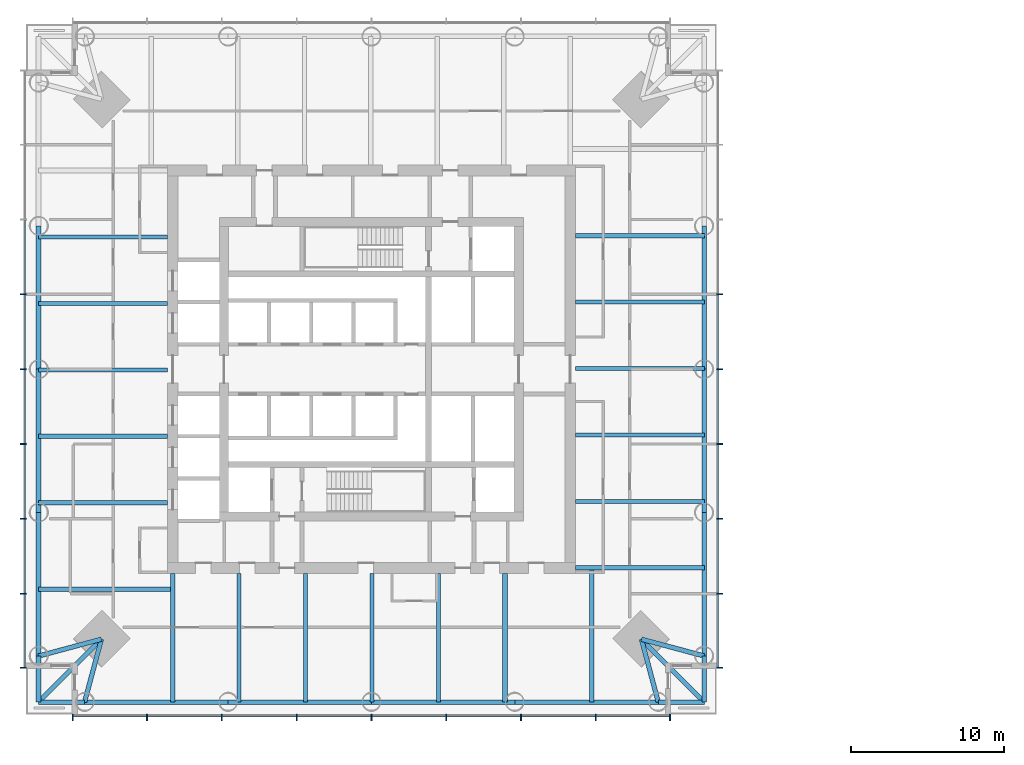
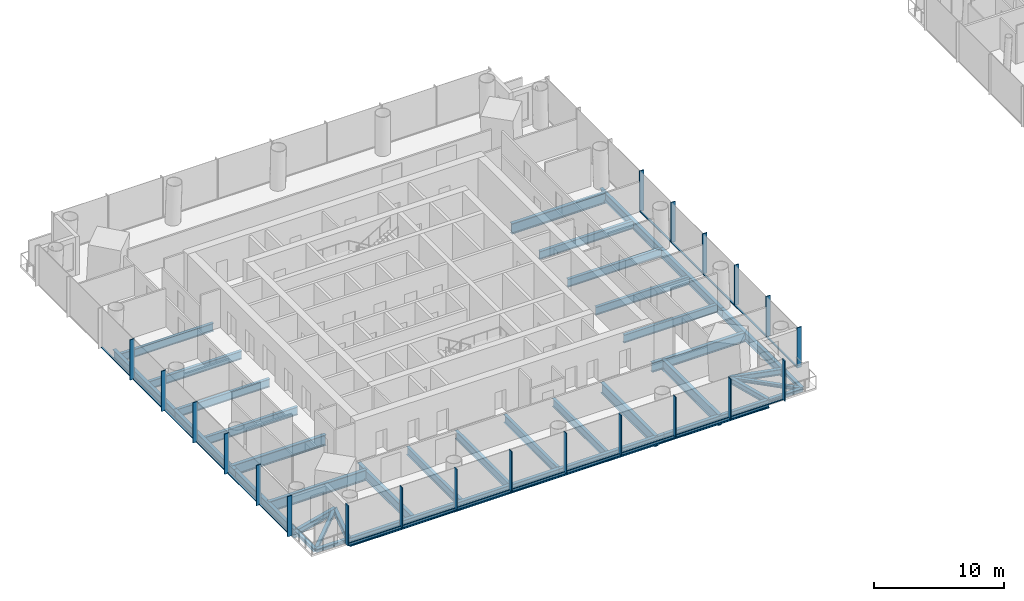
# One storey, part 2 of 18: 40 members, 39 beams, 3 elements without a shape of their own.
"""IFC4 building model written with IfcOpenShell, lengths in metres."""

from ifc_helpers import new_model, si_unit, direction, frame, origin, origin_2d, place, context, subcontext, project, spatial, rectangle, i_section, extrude, material, material_profile, profile_set, type_object, element, aggregate, save


model = new_model("IFC4")

# Units and contexts
model_context = context("Model", 3, precision=1e-05, world=origin(), true_north=direction((0.0, 1.0)))
body_context = subcontext(model_context, "Body", "Model", "MODEL_VIEW")
ifc_project = project(units=[si_unit("LENGTHUNIT", "METRE"), si_unit("AREAUNIT", "SQUARE_METRE"), si_unit("VOLUMEUNIT", "CUBIC_METRE"), si_unit("PLANEANGLEUNIT", "RADIAN"), si_unit("MASSUNIT", "GRAM", prefix="KILO")], contexts=[model_context])

# Site, building, storey
site_placement = place(None, origin())
site = spatial("IfcSite", under=ifc_project, at=site_placement, CompositionType="ELEMENT")
building_placement = place(site_placement, origin())
building = spatial("IfcBuilding", under=site, at=building_placement, Name="Ostroluk Exchange", CompositionType="ELEMENT")
storey_placement = place(building_placement, frame((0.0, 0.0, 93.199951171875)))
storey = spatial("IfcBuildingStorey", under=building, at=storey_placement, Name="L23", CompositionType="ELEMENT", Elevation=93.199951171875)

# Beams
ifc_material_1 = material(Name="Steel S355", Category="steel")
ifc_material_profile_1 = material_profile(ifc_material_1, i_section(OverallWidth=0.300048828125, OverallDepth=0.300048828125, WebThickness=0.010986328125, FlangeThickness=0.01904296875, FilletRadius=0.027099609375, at=origin_2d()), Name="HEB 300")
ifc_profile_set_1 = profile_set([ifc_material_profile_1], Name="Steel S355")
beam_type_1 = type_object("IfcBeamType", Name="Balcony beam HEB 300", PredefinedType="BEAM", material=ifc_profile_set_1)
for number, where, z_axis, x_axis, name in (
    (1, (23.30712890625, 27.30712890625, -0.329833984375), (0.0, -1.0, 0.0), (1.0, 0.0, 0.0), "T1 west balcony beam a"),
    (2, (26.30712890625, 24.30712890625, -0.329833984375), (-1.0, 0.0, 0.0), (0.0, -1.0, 0.0), "T1 west balcony beam b"),
):
    element("IfcBeam", number, at=place(storey_placement, frame(where, z_axis=z_axis, x_axis=x_axis)), inside=storey, type_object=beam_type_1, Name=name, PredefinedType="BEAM", context=body_context, shape_type="SweptSolid", body=[
        extrude(i_section(OverallWidth=0.300048828125, OverallDepth=0.300048828125, WebThickness=0.010986328125, FlangeThickness=0.01904296875, FilletRadius=0.027099609375, at=origin_2d()), origin(), (0.0, 0.0, 1.0), 3.0),
    ])
beam_1_placement = place(storey_placement, frame((27.4072265625, 28.4072265625, -0.329833984375), z_axis=(-0.707106781187, -0.707106781187, 0.0), x_axis=(0.707106781187, -0.707106781187, 0.0)))
element("IfcBeam", 3, at=beam_1_placement, inside=storey, type_object=beam_type_1, Name="T1 west balcony beam c", PredefinedType="BEAM", context=body_context, shape_type="SweptSolid", body=[
    extrude(i_section(OverallWidth=0.300048828125, OverallDepth=0.300048828125, WebThickness=0.010986328125, FlangeThickness=0.01904296875, FilletRadius=0.027099609375, at=origin_2d()), origin(), (0.0, 0.0, 1.0), 5.79833984375),
])
for number, where, z_axis, x_axis, name in (
    (4, (63.69287109375, 24.30712890625, -0.329833984375), (1.0, 0.0, 0.0), (0.0, 1.0, 0.0), "T1 south balcony beam a"),
    (5, (66.69287109375, 27.30712890625, -0.329833984375), (0.0, -1.0, 0.0), (1.0, 0.0, 0.0), "T1 south balcony beam b"),
):
    element("IfcBeam", number, at=place(storey_placement, frame(where, z_axis=z_axis, x_axis=x_axis)), inside=storey, type_object=beam_type_1, Name=name, PredefinedType="BEAM", context=body_context, shape_type="SweptSolid", body=[
        extrude(i_section(OverallWidth=0.300048828125, OverallDepth=0.300048828125, WebThickness=0.010986328125, FlangeThickness=0.01904296875, FilletRadius=0.027099609375, at=origin_2d()), origin(), (0.0, 0.0, 1.0), 3.0),
    ])
beam_2_placement = place(storey_placement, frame((62.5927734375, 28.4072265625, -0.329833984375), z_axis=(0.707106781187, -0.707106781187, 0.0), x_axis=(0.707106781187, 0.707106781187, 0.0)))
element("IfcBeam", 6, at=beam_2_placement, inside=storey, type_object=beam_type_1, Name="T1 south balcony beam c", PredefinedType="BEAM", context=body_context, shape_type="SweptSolid", body=[
    extrude(i_section(OverallWidth=0.300048828125, OverallDepth=0.300048828125, WebThickness=0.010986328125, FlangeThickness=0.01904296875, FilletRadius=0.027099609375, at=origin_2d()), origin(), (0.0, 0.0, 1.0), 5.79833984375),
])
ifc_material_2 = material(Name="Steel S355", Category="steel")
ifc_material_profile_2 = material_profile(ifc_material_2, i_section(OverallWidth=0.300048828125, OverallDepth=0.550048828125, WebThickness=0.014892578125, FlangeThickness=0.029052734375, FilletRadius=0.027099609375, at=origin_2d()), Name="HEB 550")
ifc_profile_set_2 = profile_set([ifc_material_profile_2], Name="Steel S355")
beam_type_2 = type_object("IfcBeamType", Name="Corner edge beam HEB 550", PredefinedType="SPANDREL", material=ifc_profile_set_2)
for number, where, z_axis, x_axis, name in (
    (7, (27.4072265625, 28.4072265625, -0.454833984375), (-0.965838624319, -0.259144268261, 0.0), (0.259144268261, -0.965838624319, 0.0), "T1 west corner edge beam a"),
    (8, (27.4072265625, 28.4072265625, -0.454833984375), (-0.259144268261, -0.965838624319, 0.0), (0.965838624319, -0.259144268261, 0.0), "T1 west corner edge beam b"),
    (9, (62.5927734375, 28.4072265625, -0.454833984375), (0.259144268261, -0.965838624319, 0.0), (0.965838624319, 0.259144268261, 0.0), "T1 south corner edge beam a"),
    (10, (62.5927734375, 28.4072265625, -0.454833984375), (0.965838624319, -0.259144268261, 0.0), (0.259144268261, 0.965838624319, 0.0), "T1 south corner edge beam b"),
):
    element("IfcBeam", number, at=place(storey_placement, frame(where, z_axis=z_axis, x_axis=x_axis)), inside=storey, type_object=beam_type_2, Name=name, PredefinedType="SPANDREL", context=body_context, shape_type="SweptSolid", body=[
        extrude(i_section(OverallWidth=0.300048828125, OverallDepth=0.550048828125, WebThickness=0.014892578125, FlangeThickness=0.029052734375, FilletRadius=0.027099609375, at=origin_2d()), origin(), (0.0, 0.0, 1.0), 4.2451171875),
    ])
ifc_material_3 = material(Name="Steel S355", Category="steel")
ifc_material_profile_3 = material_profile(ifc_material_3, i_section(OverallWidth=0.302001953125, OverallDepth=1.008056640625, WebThickness=0.02099609375, FlangeThickness=0.0400390625, FilletRadius=0.030029296875, at=origin_2d()), Name="HEM 1000")
ifc_profile_set_3 = profile_set([ifc_material_profile_3], Name="Steel S355")
beam_type_3 = type_object("IfcBeamType", Name="Floor beam HEM 1000", PredefinedType="BEAM", material=ifc_profile_set_3)
for number, where, z_axis, x_axis, name in (
    (11, (58.300048828125, 54.701904296875, -0.683837890625), (1.0, 0.0, 0.0), (0.0, 1.0, 0.0), "T1 east floor beam 5"),
    (12, (31.699951171875, 37.298095703125, -0.683837890625), (-1.0, 0.0, 0.0), (0.0, -1.0, 0.0), "T1 west floor beam 5"),
):
    element("IfcBeam", number, at=place(storey_placement, frame(where, z_axis=z_axis, x_axis=x_axis)), inside=storey, type_object=beam_type_3, Name=name, PredefinedType="BEAM", context=body_context, shape_type="SweptSolid", body=[
        extrude(i_section(OverallWidth=0.302001953125, OverallDepth=1.008056640625, WebThickness=0.02099609375, FlangeThickness=0.0400390625, FilletRadius=0.030029296875, at=origin_2d()), origin(), (0.0, 0.0, 1.0), 8.392822265625),
    ])
beam_3_placement = place(storey_placement, frame((32.050048828125, 31.64990234375, -0.683837890625), z_axis=(-1.0, 0.0, 0.0), x_axis=(0.0, -1.0, 0.0)))
element("IfcBeam", 13, at=beam_3_placement, inside=storey, type_object=beam_type_3, Name="T1 west floor beam 6", PredefinedType="BEAM", context=body_context, shape_type="SweptSolid", body=[
    extrude(i_section(OverallWidth=0.302001953125, OverallDepth=1.008056640625, WebThickness=0.02099609375, FlangeThickness=0.0400390625, FilletRadius=0.030029296875, at=origin_2d()), origin(), (0.0, 0.0, 1.0), 8.742919921875),
])
beam_4_placement = place(storey_placement, frame((53.701904296875, 32.699951171875, -0.683837890625), z_axis=(0.0, -1.0, 0.0), x_axis=(1.0, 0.0, 0.0)))
element("IfcBeam", 14, at=beam_4_placement, inside=storey, type_object=beam_type_3, Name="T1 south floor beam 5", PredefinedType="BEAM", context=body_context, shape_type="SweptSolid", body=[
    extrude(i_section(OverallWidth=0.302001953125, OverallDepth=1.008056640625, WebThickness=0.02099609375, FlangeThickness=0.0400390625, FilletRadius=0.030029296875, at=origin_2d()), origin(), (0.0, 0.0, 1.0), 8.392822265625),
])
beam_5_placement = place(storey_placement, frame((59.35009765625, 33.050048828125, -0.683837890625), z_axis=(0.0, -1.0, 0.0), x_axis=(1.0, 0.0, 0.0)))
element("IfcBeam", 15, at=beam_5_placement, inside=storey, type_object=beam_type_3, Name="T1 south floor beam 6", PredefinedType="BEAM", context=body_context, shape_type="SweptSolid", body=[
    extrude(i_section(OverallWidth=0.302001953125, OverallDepth=1.008056640625, WebThickness=0.02099609375, FlangeThickness=0.0400390625, FilletRadius=0.030029296875, at=origin_2d()), origin(), (0.0, 0.0, 1.0), 8.742919921875),
])
ifc_material_4 = material(Name="Steel S355", Category="steel")
ifc_material_profile_4 = material_profile(ifc_material_4, i_section(OverallWidth=0.26708984375, OverallDepth=0.761962890625, WebThickness=0.014404296875, FlangeThickness=0.021484375, FilletRadius=0.01708984375, at=origin_2d()), Name="IPE 750x173")
ifc_profile_set_4 = profile_set([ifc_material_profile_4], Name="Steel S355")
beam_type_4 = type_object("IfcBeamType", Name="Floor beam IPE 750x173", PredefinedType="BEAM", material=ifc_profile_set_4)
for number, where, z_axis, x_axis, name in (
    (16, (58.300048828125, 37.38037109375, -0.56103515625), (1.0, 0.0, 0.0), (0.0, 1.0, 0.0), "T1 east floor beam 1"),
    (17, (58.300048828125, 41.710693359375, -0.56103515625), (1.0, 0.0, 0.0), (0.0, 1.0, 0.0), "T1 east floor beam 2"),
    (18, (58.300048828125, 46.041015625, -0.56103515625), (1.0, 0.0, 0.0), (0.0, 1.0, 0.0), "T1 east floor beam 3"),
    (19, (58.300048828125, 50.371337890625, -0.56103515625), (1.0, 0.0, 0.0), (0.0, 1.0, 0.0), "T1 east floor beam 4"),
    (20, (31.699951171875, 54.61962890625, -0.56103515625), (-1.0, 0.0, 0.0), (0.0, -1.0, 0.0), "T1 west floor beam 1"),
    (21, (31.699951171875, 50.289306640625, -0.56103515625), (-1.0, 0.0, 0.0), (0.0, -1.0, 0.0), "T1 west floor beam 2"),
    (22, (31.699951171875, 45.958984375, -0.56103515625), (-1.0, 0.0, 0.0), (0.0, -1.0, 0.0), "T1 west floor beam 3"),
    (23, (31.699951171875, 41.628662109375, -0.56103515625), (-1.0, 0.0, 0.0), (0.0, -1.0, 0.0), "T1 west floor beam 4"),
    (24, (36.38037109375, 32.699951171875, -0.56103515625), (0.0, -1.0, 0.0), (1.0, 0.0, 0.0), "T1 south floor beam 1"),
    (25, (40.710693359375, 32.699951171875, -0.56103515625), (0.0, -1.0, 0.0), (1.0, 0.0, 0.0), "T1 south floor beam 2"),
    (26, (45.041015625, 32.699951171875, -0.56103515625), (0.0, -1.0, 0.0), (1.0, 0.0, 0.0), "T1 south floor beam 3"),
    (27, (49.371337890625, 32.699951171875, -0.56103515625), (0.0, -1.0, 0.0), (1.0, 0.0, 0.0), "T1 south floor beam 4"),
):
    element("IfcBeam", number, at=place(storey_placement, frame(where, z_axis=z_axis, x_axis=x_axis)), inside=storey, type_object=beam_type_4, Name=name, PredefinedType="BEAM", context=body_context, shape_type="SweptSolid", body=[
        extrude(i_section(OverallWidth=0.26708984375, OverallDepth=0.761962890625, WebThickness=0.014404296875, FlangeThickness=0.021484375, FilletRadius=0.01708984375, at=origin_2d()), origin(), (0.0, 0.0, 1.0), 8.392822265625),
    ])
ifc_material_5 = material(Name="Steel S355", Category="steel")
ifc_material_profile_5 = material_profile(ifc_material_5, i_section(OverallWidth=0.300048828125, OverallDepth=0.89990234375, WebThickness=0.0185546875, FlangeThickness=0.034912109375, FilletRadius=0.030029296875, at=origin_2d()), Name="HEB 900")
ifc_profile_set_5 = profile_set([ifc_material_profile_5], Name="Steel S355")
beam_type_5 = type_object("IfcBeamType", Name="Girder HEB 900", PredefinedType="BEAM", material=ifc_profile_set_5)
for number, where, z_axis, x_axis, name in (
    (28, (32.050048828125, 32.699951171875, -0.6298828125), (0.0, -1.0, 0.0), (1.0, 0.0, 0.0), "T1 west girder"),
    (29, (58.300048828125, 33.050048828125, -0.6298828125), (1.0, 0.0, 0.0), (0.0, 1.0, 0.0), "T1 south girder"),
):
    element("IfcBeam", number, at=place(storey_placement, frame(where, z_axis=z_axis, x_axis=x_axis)), inside=storey, type_object=beam_type_5, Name=name, PredefinedType="BEAM", context=body_context, shape_type="SweptSolid", body=[
        extrude(i_section(OverallWidth=0.300048828125, OverallDepth=0.89990234375, WebThickness=0.0185546875, FlangeThickness=0.034912109375, FilletRadius=0.030029296875, at=origin_2d()), origin(), (0.0, 0.0, 1.0), 8.392822265625),
    ])
ifc_material_6 = material(Name="Steel S355", Category="steel")
ifc_material_profile_6 = material_profile(ifc_material_6, i_section(OverallWidth=0.300048828125, OverallDepth=0.800048828125, WebThickness=0.017578125, FlangeThickness=0.032958984375, FilletRadius=0.030029296875, at=origin_2d()), Name="HEB 800")
ifc_profile_set_6 = profile_set([ifc_material_profile_6], Name="Steel S355")
beam_type_6 = type_object("IfcBeamType", Name="Moment-connected edge beam HEB 800", PredefinedType="SPANDREL", material=ifc_profile_set_6)
for number, where, z_axis, x_axis, name in (
    (30, (66.69287109375, 27.30712890625, -0.579833984375), (0.0, 1.0, 0.0), (-1.0, 0.0, 0.0), "T1 east edge beam 1"),
    (31, (66.69287109375, 36.653564453125, -0.579833984375), (0.0, 1.0, 0.0), (-1.0, 0.0, 0.0), "T1 east edge beam 2"),
    (32, (66.69287109375, 46.0, -0.579833984375), (0.0, 1.0, 0.0), (-1.0, 0.0, 0.0), "T1 east edge beam 3"),
    (33, (23.30712890625, 55.346435546875, -0.579833984375), (0.0, -1.0, 0.0), (1.0, 0.0, 0.0), "T1 west edge beam 2"),
    (34, (23.30712890625, 46.0, -0.579833984375), (0.0, -1.0, 0.0), (1.0, 0.0, 0.0), "T1 west edge beam 3"),
    (35, (23.30712890625, 36.653564453125, -0.579833984375), (0.0, -1.0, 0.0), (1.0, 0.0, 0.0), "T1 west edge beam 4"),
    (36, (26.30712890625, 24.30712890625, -0.579833984375), (1.0, 0.0, 0.0), (0.0, 1.0, 0.0), "T1 south edge beam 1"),
    (37, (35.653564453125, 24.30712890625, -0.579833984375), (1.0, 0.0, 0.0), (0.0, 1.0, 0.0), "T1 south edge beam 2"),
    (38, (45.0, 24.30712890625, -0.579833984375), (1.0, 0.0, 0.0), (0.0, 1.0, 0.0), "T1 south edge beam 3"),
    (39, (54.346435546875, 24.30712890625, -0.579833984375), (1.0, 0.0, 0.0), (0.0, 1.0, 0.0), "T1 south edge beam 4"),
):
    element("IfcBeam", number, at=place(storey_placement, frame(where, z_axis=z_axis, x_axis=x_axis)), inside=storey, type_object=beam_type_6, Name=name, PredefinedType="SPANDREL", context=body_context, shape_type="SweptSolid", body=[
        extrude(i_section(OverallWidth=0.300048828125, OverallDepth=0.800048828125, WebThickness=0.017578125, FlangeThickness=0.032958984375, FilletRadius=0.030029296875, at=origin_2d()), origin(), (0.0, 0.0, 1.0), 9.346435546875),
    ])

# Curtain wall, members
ifc_material_7 = material(Name="Laminated clear glass", Category="glass")
curtain_wall_type = type_object("IfcCurtainWallType", Name="Office tower facade", PredefinedType="USERDEFINED", material=ifc_material_7)
curtain_wall_1_placement = place(storey_placement, origin())
curtain_wall_1 = element("IfcCurtainWall", 40, at=curtain_wall_1_placement, inside=storey, type_object=curtain_wall_type, Name="Office tower south facade L23", ObjectType="UNITISED CURTAIN WALL", PredefinedType="USERDEFINED")
ifc_material_8 = material(Name="Aluminium mullion", Category="aluminium")
ifc_material_profile_7 = material_profile(ifc_material_8, rectangle(XDim=0.14990234375, YDim=0.080078125, at=origin_2d()), Name="Sill transom 80 x 150")
ifc_profile_set_7 = profile_set([ifc_material_profile_7], Name="Aluminium mullion")
member_type_1 = type_object("IfcMemberType", Name="Sill transom 80 x 150", PredefinedType="USERDEFINED", material=ifc_profile_set_7)
member_1_placement = place(storey_placement, frame((25.580078125, 23.425048828125, 0.0400390625), z_axis=(1.0, 0.0, 0.0), x_axis=(0.0, 1.0, 0.0)))
member_1 = element("IfcMember", 41, at=member_1_placement, type_object=member_type_1, Name="CW-O1 transom 1.1", ObjectType="TRANSOM", PredefinedType="USERDEFINED", context=body_context, shape_type="SweptSolid", body=[
    extrude(rectangle(XDim=0.14990234375, YDim=0.080078125, at=origin_2d()), origin(), (0.0, 0.0, 1.0), 4.7548828125),
])
member_2_placement = place(storey_placement, frame((30.4150390625, 23.425048828125, 0.0400390625), z_axis=(1.0, 0.0, 0.0), x_axis=(0.0, 1.0, 0.0)))
member_2 = element("IfcMember", 42, at=member_2_placement, type_object=member_type_1, Name="CW-O1 transom 2.1", ObjectType="TRANSOM", PredefinedType="USERDEFINED", context=body_context, shape_type="SweptSolid", body=[
    extrude(rectangle(XDim=0.14990234375, YDim=0.080078125, at=origin_2d()), origin(), (0.0, 0.0, 1.0), 4.794921875),
])
member_3_placement = place(storey_placement, frame((35.2900390625, 23.425048828125, 0.0400390625), z_axis=(1.0, 0.0, 0.0), x_axis=(0.0, 1.0, 0.0)))
member_3 = element("IfcMember", 43, at=member_3_placement, type_object=member_type_1, Name="CW-O1 transom 3.1", ObjectType="TRANSOM", PredefinedType="USERDEFINED", context=body_context, shape_type="SweptSolid", body=[
    extrude(rectangle(XDim=0.14990234375, YDim=0.080078125, at=origin_2d()), origin(), (0.0, 0.0, 1.0), 4.794921875),
])
member_4_placement = place(storey_placement, frame((40.1650390625, 23.425048828125, 0.0400390625), z_axis=(1.0, 0.0, 0.0), x_axis=(0.0, 1.0, 0.0)))
member_4 = element("IfcMember", 44, at=member_4_placement, type_object=member_type_1, Name="CW-O1 transom 4.1", ObjectType="TRANSOM", PredefinedType="USERDEFINED", context=body_context, shape_type="SweptSolid", body=[
    extrude(rectangle(XDim=0.14990234375, YDim=0.080078125, at=origin_2d()), origin(), (0.0, 0.0, 1.0), 4.794921875),
])
member_5_placement = place(storey_placement, frame((45.0400390625, 23.425048828125, 0.0400390625), z_axis=(1.0, 0.0, 0.0), x_axis=(0.0, 1.0, 0.0)))
member_5 = element("IfcMember", 45, at=member_5_placement, type_object=member_type_1, Name="CW-O1 transom 5.1", ObjectType="TRANSOM", PredefinedType="USERDEFINED", context=body_context, shape_type="SweptSolid", body=[
    extrude(rectangle(XDim=0.14990234375, YDim=0.080078125, at=origin_2d()), origin(), (0.0, 0.0, 1.0), 4.794921875),
])
member_6_placement = place(storey_placement, frame((49.9150390625, 23.425048828125, 0.0400390625), z_axis=(1.0, 0.0, 0.0), x_axis=(0.0, 1.0, 0.0)))
member_6 = element("IfcMember", 46, at=member_6_placement, type_object=member_type_1, Name="CW-O1 transom 6.1", ObjectType="TRANSOM", PredefinedType="USERDEFINED", context=body_context, shape_type="SweptSolid", body=[
    extrude(rectangle(XDim=0.14990234375, YDim=0.080078125, at=origin_2d()), origin(), (0.0, 0.0, 1.0), 4.794921875),
])
member_7_placement = place(storey_placement, frame((54.7900390625, 23.425048828125, 0.0400390625), z_axis=(1.0, 0.0, 0.0), x_axis=(0.0, 1.0, 0.0)))
member_7 = element("IfcMember", 47, at=member_7_placement, type_object=member_type_1, Name="CW-O1 transom 7.1", ObjectType="TRANSOM", PredefinedType="USERDEFINED", context=body_context, shape_type="SweptSolid", body=[
    extrude(rectangle(XDim=0.14990234375, YDim=0.080078125, at=origin_2d()), origin(), (0.0, 0.0, 1.0), 4.794921875),
])
member_8_placement = place(storey_placement, frame((59.6650390625, 23.425048828125, 0.0400390625), z_axis=(1.0, 0.0, 0.0), x_axis=(0.0, 1.0, 0.0)))
member_8 = element("IfcMember", 48, at=member_8_placement, type_object=member_type_1, Name="CW-O1 transom 8.1", ObjectType="TRANSOM", PredefinedType="USERDEFINED", context=body_context, shape_type="SweptSolid", body=[
    extrude(rectangle(XDim=0.14990234375, YDim=0.080078125, at=origin_2d()), origin(), (0.0, 0.0, 1.0), 4.7548828125),
])

curtain_wall_2_placement = place(storey_placement, origin())
curtain_wall_2 = element("IfcCurtainWall", 49, at=curtain_wall_2_placement, inside=storey, type_object=curtain_wall_type, Name="Office tower east facade L23", ObjectType="UNITISED CURTAIN WALL", PredefinedType="USERDEFINED")
member_9_placement = place(storey_placement, frame((67.574951171875, 26.580078125, 0.0400390625), z_axis=(0.0, 1.0, 0.0), x_axis=(-1.0, 0.0, 0.0)))
member_9 = element("IfcMember", 50, at=member_9_placement, type_object=member_type_1, Name="CW-O1 transom 1.1", ObjectType="TRANSOM", PredefinedType="USERDEFINED", context=body_context, shape_type="SweptSolid", body=[
    extrude(rectangle(XDim=0.14990234375, YDim=0.080078125, at=origin_2d()), origin(), (0.0, 0.0, 1.0), 4.7548828125),
])
member_10_placement = place(storey_placement, frame((67.574951171875, 31.4150390625, 0.0400390625), z_axis=(0.0, 1.0, 0.0), x_axis=(-1.0, 0.0, 0.0)))
member_10 = element("IfcMember", 51, at=member_10_placement, type_object=member_type_1, Name="CW-O1 transom 2.1", ObjectType="TRANSOM", PredefinedType="USERDEFINED", context=body_context, shape_type="SweptSolid", body=[
    extrude(rectangle(XDim=0.14990234375, YDim=0.080078125, at=origin_2d()), origin(), (0.0, 0.0, 1.0), 4.794921875),
])
member_11_placement = place(storey_placement, frame((67.574951171875, 36.2900390625, 0.0400390625), z_axis=(0.0, 1.0, 0.0), x_axis=(-1.0, 0.0, 0.0)))
member_11 = element("IfcMember", 52, at=member_11_placement, type_object=member_type_1, Name="CW-O1 transom 3.1", ObjectType="TRANSOM", PredefinedType="USERDEFINED", context=body_context, shape_type="SweptSolid", body=[
    extrude(rectangle(XDim=0.14990234375, YDim=0.080078125, at=origin_2d()), origin(), (0.0, 0.0, 1.0), 4.794921875),
])
member_12_placement = place(storey_placement, frame((67.574951171875, 41.1650390625, 0.0400390625), z_axis=(0.0, 1.0, 0.0), x_axis=(-1.0, 0.0, 0.0)))
member_12 = element("IfcMember", 53, at=member_12_placement, type_object=member_type_1, Name="CW-O1 transom 4.1", ObjectType="TRANSOM", PredefinedType="USERDEFINED", context=body_context, shape_type="SweptSolid", body=[
    extrude(rectangle(XDim=0.14990234375, YDim=0.080078125, at=origin_2d()), origin(), (0.0, 0.0, 1.0), 4.794921875),
])
member_13_placement = place(storey_placement, frame((67.574951171875, 46.0400390625, 0.0400390625), z_axis=(0.0, 1.0, 0.0), x_axis=(-1.0, 0.0, 0.0)))
member_13 = element("IfcMember", 54, at=member_13_placement, type_object=member_type_1, Name="CW-O1 transom 5.1", ObjectType="TRANSOM", PredefinedType="USERDEFINED", context=body_context, shape_type="SweptSolid", body=[
    extrude(rectangle(XDim=0.14990234375, YDim=0.080078125, at=origin_2d()), origin(), (0.0, 0.0, 1.0), 4.794921875),
])

curtain_wall_3_placement = place(storey_placement, origin())
curtain_wall_3 = element("IfcCurtainWall", 55, at=curtain_wall_3_placement, inside=storey, type_object=curtain_wall_type, Name="Office tower west facade L23", ObjectType="UNITISED CURTAIN WALL", PredefinedType="USERDEFINED")
member_14_placement = place(storey_placement, frame((22.425048828125, 55.7099609375, 0.0400390625), z_axis=(0.0, -1.0, 0.0), x_axis=(1.0, 0.0, 0.0)))
member_14 = element("IfcMember", 56, at=member_14_placement, type_object=member_type_1, Name="CW-O1 transom 3.1", ObjectType="TRANSOM", PredefinedType="USERDEFINED", context=body_context, shape_type="SweptSolid", body=[
    extrude(rectangle(XDim=0.14990234375, YDim=0.080078125, at=origin_2d()), origin(), (0.0, 0.0, 1.0), 4.794921875),
])
member_15_placement = place(storey_placement, frame((22.425048828125, 50.8349609375, 0.0400390625), z_axis=(0.0, -1.0, 0.0), x_axis=(1.0, 0.0, 0.0)))
member_15 = element("IfcMember", 57, at=member_15_placement, type_object=member_type_1, Name="CW-O1 transom 4.1", ObjectType="TRANSOM", PredefinedType="USERDEFINED", context=body_context, shape_type="SweptSolid", body=[
    extrude(rectangle(XDim=0.14990234375, YDim=0.080078125, at=origin_2d()), origin(), (0.0, 0.0, 1.0), 4.794921875),
])
member_16_placement = place(storey_placement, frame((22.425048828125, 45.9599609375, 0.0400390625), z_axis=(0.0, -1.0, 0.0), x_axis=(1.0, 0.0, 0.0)))
member_16 = element("IfcMember", 58, at=member_16_placement, type_object=member_type_1, Name="CW-O1 transom 5.1", ObjectType="TRANSOM", PredefinedType="USERDEFINED", context=body_context, shape_type="SweptSolid", body=[
    extrude(rectangle(XDim=0.14990234375, YDim=0.080078125, at=origin_2d()), origin(), (0.0, 0.0, 1.0), 4.794921875),
])
member_17_placement = place(storey_placement, frame((22.425048828125, 41.0849609375, 0.0400390625), z_axis=(0.0, -1.0, 0.0), x_axis=(1.0, 0.0, 0.0)))
member_17 = element("IfcMember", 59, at=member_17_placement, type_object=member_type_1, Name="CW-O1 transom 6.1", ObjectType="TRANSOM", PredefinedType="USERDEFINED", context=body_context, shape_type="SweptSolid", body=[
    extrude(rectangle(XDim=0.14990234375, YDim=0.080078125, at=origin_2d()), origin(), (0.0, 0.0, 1.0), 4.794921875),
])
member_18_placement = place(storey_placement, frame((22.425048828125, 36.2099609375, 0.0400390625), z_axis=(0.0, -1.0, 0.0), x_axis=(1.0, 0.0, 0.0)))
member_18 = element("IfcMember", 60, at=member_18_placement, type_object=member_type_1, Name="CW-O1 transom 7.1", ObjectType="TRANSOM", PredefinedType="USERDEFINED", context=body_context, shape_type="SweptSolid", body=[
    extrude(rectangle(XDim=0.14990234375, YDim=0.080078125, at=origin_2d()), origin(), (0.0, 0.0, 1.0), 4.794921875),
])
member_19_placement = place(storey_placement, frame((22.425048828125, 31.3349609375, 0.0400390625), z_axis=(0.0, -1.0, 0.0), x_axis=(1.0, 0.0, 0.0)))
member_19 = element("IfcMember", 61, at=member_19_placement, type_object=member_type_1, Name="CW-O1 transom 8.1", ObjectType="TRANSOM", PredefinedType="USERDEFINED", context=body_context, shape_type="SweptSolid", body=[
    extrude(rectangle(XDim=0.14990234375, YDim=0.080078125, at=origin_2d()), origin(), (0.0, 0.0, 1.0), 4.7548828125),
])

# Member
ifc_material_9 = material(Name="Aluminium mullion with limestone facing", Category="masonry")
ifc_material_profile_8 = material_profile(ifc_material_9, rectangle(XDim=0.39990234375, YDim=0.080078125, at=origin_2d()), Name="Tracery mullion 80 x 400")
ifc_profile_set_8 = profile_set([ifc_material_profile_8], Name="Aluminium mullion with limestone facing")
member_type_2 = type_object("IfcMemberType", Name="Tracery mullion 80 x 400", PredefinedType="MULLION", material=ifc_profile_set_8)
member_20_placement = place(storey_placement, frame((25.5400390625, 23.300048828125, 0.0), z_axis=(0.0, 0.0, 1.0), x_axis=(0.0, 1.0, 0.0)))
member_20 = element("IfcMember", 62, at=member_20_placement, type_object=member_type_2, Name="CW-O1 mullion 1", PredefinedType="MULLION", context=body_context, shape_type="SweptSolid", body=[
    extrude(rectangle(XDim=0.39990234375, YDim=0.080078125, at=origin_2d()), origin(), (0.0, 0.0, 1.0), 3.800048828125),
])

member_21_placement = place(storey_placement, frame((30.375, 23.300048828125, 0.0), z_axis=(0.0, 0.0, 1.0), x_axis=(0.0, 1.0, 0.0)))
member_21 = element("IfcMember", 63, at=member_21_placement, type_object=member_type_2, Name="CW-O1 mullion 2", PredefinedType="MULLION", context=body_context, shape_type="SweptSolid", body=[
    extrude(rectangle(XDim=0.39990234375, YDim=0.080078125, at=origin_2d()), origin(), (0.0, 0.0, 1.0), 3.800048828125),
])

member_22_placement = place(storey_placement, frame((35.25, 23.300048828125, 0.0), z_axis=(0.0, 0.0, 1.0), x_axis=(0.0, 1.0, 0.0)))
member_22 = element("IfcMember", 64, at=member_22_placement, type_object=member_type_2, Name="CW-O1 mullion 3", PredefinedType="MULLION", context=body_context, shape_type="SweptSolid", body=[
    extrude(rectangle(XDim=0.39990234375, YDim=0.080078125, at=origin_2d()), origin(), (0.0, 0.0, 1.0), 3.800048828125),
])

member_23_placement = place(storey_placement, frame((40.125, 23.300048828125, 0.0), z_axis=(0.0, 0.0, 1.0), x_axis=(0.0, 1.0, 0.0)))
member_23 = element("IfcMember", 65, at=member_23_placement, type_object=member_type_2, Name="CW-O1 mullion 4", PredefinedType="MULLION", context=body_context, shape_type="SweptSolid", body=[
    extrude(rectangle(XDim=0.39990234375, YDim=0.080078125, at=origin_2d()), origin(), (0.0, 0.0, 1.0), 3.800048828125),
])

member_24_placement = place(storey_placement, frame((45.0, 23.300048828125, 0.0), z_axis=(0.0, 0.0, 1.0), x_axis=(0.0, 1.0, 0.0)))
member_24 = element("IfcMember", 66, at=member_24_placement, type_object=member_type_2, Name="CW-O1 mullion 5", PredefinedType="MULLION", context=body_context, shape_type="SweptSolid", body=[
    extrude(rectangle(XDim=0.39990234375, YDim=0.080078125, at=origin_2d()), origin(), (0.0, 0.0, 1.0), 3.800048828125),
])

member_25_placement = place(storey_placement, frame((49.875, 23.300048828125, 0.0), z_axis=(0.0, 0.0, 1.0), x_axis=(0.0, 1.0, 0.0)))
member_25 = element("IfcMember", 67, at=member_25_placement, type_object=member_type_2, Name="CW-O1 mullion 6", PredefinedType="MULLION", context=body_context, shape_type="SweptSolid", body=[
    extrude(rectangle(XDim=0.39990234375, YDim=0.080078125, at=origin_2d()), origin(), (0.0, 0.0, 1.0), 3.800048828125),
])

member_26_placement = place(storey_placement, frame((54.75, 23.300048828125, 0.0), z_axis=(0.0, 0.0, 1.0), x_axis=(0.0, 1.0, 0.0)))
member_26 = element("IfcMember", 68, at=member_26_placement, type_object=member_type_2, Name="CW-O1 mullion 7", PredefinedType="MULLION", context=body_context, shape_type="SweptSolid", body=[
    extrude(rectangle(XDim=0.39990234375, YDim=0.080078125, at=origin_2d()), origin(), (0.0, 0.0, 1.0), 3.800048828125),
])

member_27_placement = place(storey_placement, frame((59.625, 23.300048828125, 0.0), z_axis=(0.0, 0.0, 1.0), x_axis=(0.0, 1.0, 0.0)))
member_27 = element("IfcMember", 69, at=member_27_placement, type_object=member_type_2, Name="CW-O1 mullion 8", PredefinedType="MULLION", context=body_context, shape_type="SweptSolid", body=[
    extrude(rectangle(XDim=0.39990234375, YDim=0.080078125, at=origin_2d()), origin(), (0.0, 0.0, 1.0), 3.800048828125),
])

member_28_placement = place(storey_placement, frame((64.4599609375, 23.300048828125, 0.0), z_axis=(0.0, 0.0, 1.0), x_axis=(0.0, 1.0, 0.0)))
member_28 = element("IfcMember", 70, at=member_28_placement, type_object=member_type_2, Name="CW-O1 mullion 9", PredefinedType="MULLION", context=body_context, shape_type="SweptSolid", body=[
    extrude(rectangle(XDim=0.39990234375, YDim=0.080078125, at=origin_2d()), origin(), (0.0, 0.0, 1.0), 3.800048828125),
])

aggregate(curtain_wall_1, [member_20, member_21, member_22, member_23, member_24, member_25, member_26, member_27, member_28, member_1, member_2, member_3, member_4, member_5, member_6, member_7, member_8])

member_29_placement = place(storey_placement, frame((67.699951171875, 26.5400390625, 0.0), z_axis=(0.0, 0.0, 1.0), x_axis=(-1.0, 0.0, 0.0)))
member_29 = element("IfcMember", 71, at=member_29_placement, type_object=member_type_2, Name="CW-O1 mullion 1", PredefinedType="MULLION", context=body_context, shape_type="SweptSolid", body=[
    extrude(rectangle(XDim=0.39990234375, YDim=0.080078125, at=origin_2d()), origin(), (0.0, 0.0, 1.0), 3.800048828125),
])

member_30_placement = place(storey_placement, frame((67.699951171875, 31.375, 0.0), z_axis=(0.0, 0.0, 1.0), x_axis=(-1.0, 0.0, 0.0)))
member_30 = element("IfcMember", 72, at=member_30_placement, type_object=member_type_2, Name="CW-O1 mullion 2", PredefinedType="MULLION", context=body_context, shape_type="SweptSolid", body=[
    extrude(rectangle(XDim=0.39990234375, YDim=0.080078125, at=origin_2d()), origin(), (0.0, 0.0, 1.0), 3.800048828125),
])

member_31_placement = place(storey_placement, frame((67.699951171875, 36.25, 0.0), z_axis=(0.0, 0.0, 1.0), x_axis=(-1.0, 0.0, 0.0)))
member_31 = element("IfcMember", 73, at=member_31_placement, type_object=member_type_2, Name="CW-O1 mullion 3", PredefinedType="MULLION", context=body_context, shape_type="SweptSolid", body=[
    extrude(rectangle(XDim=0.39990234375, YDim=0.080078125, at=origin_2d()), origin(), (0.0, 0.0, 1.0), 3.800048828125),
])

member_32_placement = place(storey_placement, frame((67.699951171875, 41.125, 0.0), z_axis=(0.0, 0.0, 1.0), x_axis=(-1.0, 0.0, 0.0)))
member_32 = element("IfcMember", 74, at=member_32_placement, type_object=member_type_2, Name="CW-O1 mullion 4", PredefinedType="MULLION", context=body_context, shape_type="SweptSolid", body=[
    extrude(rectangle(XDim=0.39990234375, YDim=0.080078125, at=origin_2d()), origin(), (0.0, 0.0, 1.0), 3.800048828125),
])

member_33_placement = place(storey_placement, frame((67.699951171875, 46.0, 0.0), z_axis=(0.0, 0.0, 1.0), x_axis=(-1.0, 0.0, 0.0)))
member_33 = element("IfcMember", 75, at=member_33_placement, type_object=member_type_2, Name="CW-O1 mullion 5", PredefinedType="MULLION", context=body_context, shape_type="SweptSolid", body=[
    extrude(rectangle(XDim=0.39990234375, YDim=0.080078125, at=origin_2d()), origin(), (0.0, 0.0, 1.0), 3.800048828125),
])

member_34_placement = place(storey_placement, frame((67.699951171875, 50.875, 0.0), z_axis=(0.0, 0.0, 1.0), x_axis=(-1.0, 0.0, 0.0)))
member_34 = element("IfcMember", 76, at=member_34_placement, type_object=member_type_2, Name="CW-O1 mullion 6", PredefinedType="MULLION", context=body_context, shape_type="SweptSolid", body=[
    extrude(rectangle(XDim=0.39990234375, YDim=0.080078125, at=origin_2d()), origin(), (0.0, 0.0, 1.0), 3.800048828125),
])

aggregate(curtain_wall_2, [member_29, member_30, member_31, member_32, member_33, member_34, member_9, member_10, member_11, member_12, member_13])

member_35_placement = place(storey_placement, frame((22.300048828125, 50.875, 0.0), z_axis=(0.0, 0.0, 1.0), x_axis=(1.0, 0.0, 0.0)))
member_35 = element("IfcMember", 77, at=member_35_placement, type_object=member_type_2, Name="CW-O1 mullion 4", PredefinedType="MULLION", context=body_context, shape_type="SweptSolid", body=[
    extrude(rectangle(XDim=0.39990234375, YDim=0.080078125, at=origin_2d()), origin(), (0.0, 0.0, 1.0), 3.800048828125),
])

member_36_placement = place(storey_placement, frame((22.300048828125, 46.0, 0.0), z_axis=(0.0, 0.0, 1.0), x_axis=(1.0, 0.0, 0.0)))
member_36 = element("IfcMember", 78, at=member_36_placement, type_object=member_type_2, Name="CW-O1 mullion 5", PredefinedType="MULLION", context=body_context, shape_type="SweptSolid", body=[
    extrude(rectangle(XDim=0.39990234375, YDim=0.080078125, at=origin_2d()), origin(), (0.0, 0.0, 1.0), 3.800048828125),
])

member_37_placement = place(storey_placement, frame((22.300048828125, 41.125, 0.0), z_axis=(0.0, 0.0, 1.0), x_axis=(1.0, 0.0, 0.0)))
member_37 = element("IfcMember", 79, at=member_37_placement, type_object=member_type_2, Name="CW-O1 mullion 6", PredefinedType="MULLION", context=body_context, shape_type="SweptSolid", body=[
    extrude(rectangle(XDim=0.39990234375, YDim=0.080078125, at=origin_2d()), origin(), (0.0, 0.0, 1.0), 3.800048828125),
])

member_38_placement = place(storey_placement, frame((22.300048828125, 36.25, 0.0), z_axis=(0.0, 0.0, 1.0), x_axis=(1.0, 0.0, 0.0)))
member_38 = element("IfcMember", 80, at=member_38_placement, type_object=member_type_2, Name="CW-O1 mullion 7", PredefinedType="MULLION", context=body_context, shape_type="SweptSolid", body=[
    extrude(rectangle(XDim=0.39990234375, YDim=0.080078125, at=origin_2d()), origin(), (0.0, 0.0, 1.0), 3.800048828125),
])

member_39_placement = place(storey_placement, frame((22.300048828125, 31.375, 0.0), z_axis=(0.0, 0.0, 1.0), x_axis=(1.0, 0.0, 0.0)))
member_39 = element("IfcMember", 81, at=member_39_placement, type_object=member_type_2, Name="CW-O1 mullion 8", PredefinedType="MULLION", context=body_context, shape_type="SweptSolid", body=[
    extrude(rectangle(XDim=0.39990234375, YDim=0.080078125, at=origin_2d()), origin(), (0.0, 0.0, 1.0), 3.800048828125),
])

member_40_placement = place(storey_placement, frame((22.300048828125, 26.5400390625, 0.0), z_axis=(0.0, 0.0, 1.0), x_axis=(1.0, 0.0, 0.0)))
member_40 = element("IfcMember", 82, at=member_40_placement, type_object=member_type_2, Name="CW-O1 mullion 9", PredefinedType="MULLION", context=body_context, shape_type="SweptSolid", body=[
    extrude(rectangle(XDim=0.39990234375, YDim=0.080078125, at=origin_2d()), origin(), (0.0, 0.0, 1.0), 3.800048828125),
])

aggregate(curtain_wall_3, [member_35, member_36, member_37, member_38, member_39, member_40, member_14, member_15, member_16, member_17, member_18, member_19])

save(model, "model.ifc")
